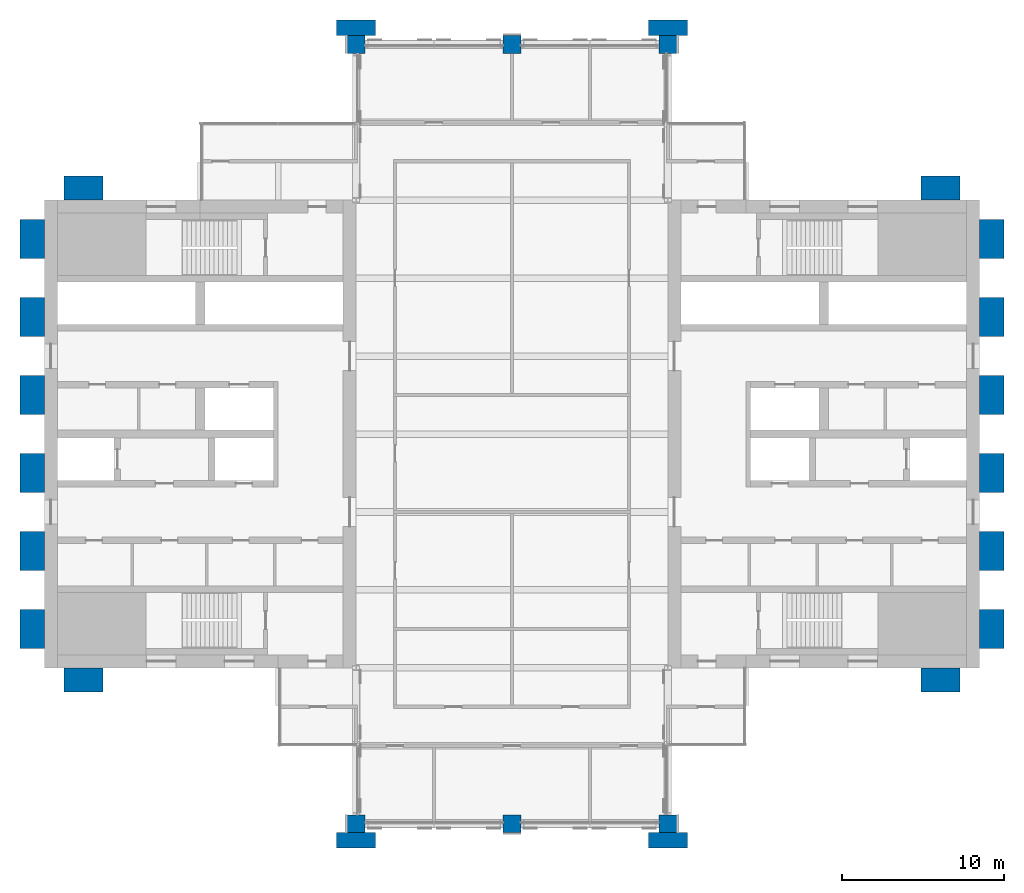
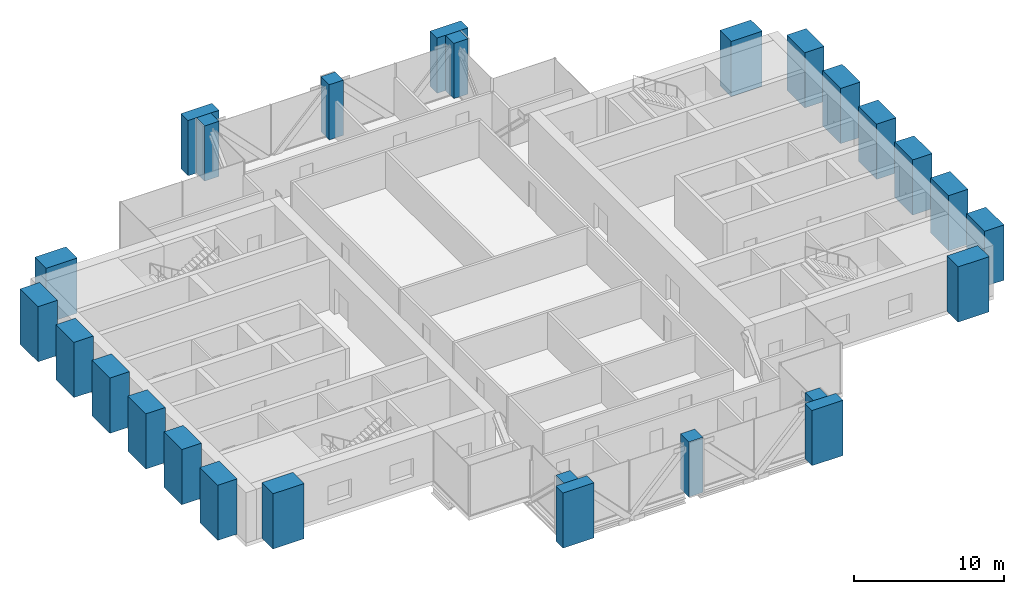
# One storey, part 1 of 13: 26 columns.
"""IFC4 building model written with IfcOpenShell, lengths in metres."""

from ifc_helpers import new_model, si_unit, direction, frame, origin, origin_2d, place, context, subcontext, project, spatial, rectangle, extrude, material, material_profile, profile_set, type_object, element, save


model = new_model("IFC4")

# Units and contexts
model_context = context("Model", 3, precision=1e-05, world=origin(), true_north=direction((0.0, 1.0)))
body_context = subcontext(model_context, "Body", "Model", "MODEL_VIEW")
ifc_project = project(units=[si_unit("LENGTHUNIT", "METRE"), si_unit("AREAUNIT", "SQUARE_METRE"), si_unit("VOLUMEUNIT", "CUBIC_METRE"), si_unit("PLANEANGLEUNIT", "RADIAN"), si_unit("MASSUNIT", "GRAM", prefix="KILO")], contexts=[model_context])

# Site, building, storey
site_placement = place(None, origin())
site = spatial("IfcSite", under=ifc_project, at=site_placement, CompositionType="ELEMENT")
building_placement = place(site_placement, origin())
building = spatial("IfcBuilding", under=site, at=building_placement, Name="Baori Bourse Tower", CompositionType="ELEMENT")
storey_placement = place(building_placement, frame((0.0, 0.0, 265.199951171875)))
storey = spatial("IfcBuildingStorey", under=building, at=storey_placement, Name="L59", CompositionType="ELEMENT", Elevation=265.199951171875)

# Columns
ifc_material_1 = material(Name="Concrete f'c 60 MPa", Category="concrete")
ifc_material_profile_1 = material_profile(ifc_material_1, rectangle(XDim=2.39990234375, YDim=0.949951171875, at=origin_2d()), Name="RC 2400x950")
ifc_profile_set_1 = profile_set([ifc_material_profile_1], Name="Concrete f'c 60 MPa")
column_type_1 = type_object("IfcColumnType", Name="FN3 Brick pilaster 2400x950", PredefinedType="PILASTER", material=ifc_profile_set_1)
for number, where, z_axis, x_axis, name in (
    (1, (19.199951171875, -1.02490234375, 0.0), (0.0, 0.0, 1.0), (1.0, 0.0, 0.0), "Brick pilaster L59 17"),
    (2, (38.39990234375, -1.02490234375, 0.0), (0.0, 0.0, 1.0), (1.0, 0.0, 0.0), "Brick pilaster L59 18"),
    (3, (19.199951171875, 49.02490234375, 0.0), (0.0, 0.0, 1.0), (1.0, 0.0, 0.0), "Brick pilaster L59 19"),
    (4, (38.39990234375, 49.02490234375, 0.0), (0.0, 0.0, 1.0), (1.0, 0.0, 0.0), "Brick pilaster L59 20"),
):
    element("IfcColumn", number, at=place(storey_placement, frame(where, z_axis=z_axis, x_axis=x_axis)), inside=storey, type_object=column_type_1, Name=name, PredefinedType="PILASTER", context=body_context, shape_type="SweptSolid", body=[
        extrude(rectangle(XDim=2.39990234375, YDim=0.949951171875, at=origin_2d()), origin(), (0.0, 0.0, 1.0), 4.5),
    ])
ifc_material_2 = material(Name="Concrete f'c 60 MPa", Category="concrete")
ifc_material_profile_2 = material_profile(ifc_material_2, rectangle(XDim=2.39990234375, YDim=1.5, at=origin_2d()), Name="RC 2400x1500")
ifc_profile_set_2 = profile_set([ifc_material_profile_2], Name="Concrete f'c 60 MPa")
column_type_2 = type_object("IfcColumnType", Name="FN4 Brick flank pilaster 2400x1500", PredefinedType="PILASTER", material=ifc_profile_set_2)
for number, where, z_axis, x_axis, name in (
    (5, (55.199951171875, 8.85009765625, 0.0), (0.0, 0.0, 1.0), (1.0, 0.0, 0.0), "Brick pilaster L59 1"),
    (6, (58.35009765625, 12.0, 0.0), (0.0, 0.0, 1.0), (0.0, 1.0, 0.0), "Brick pilaster L59 2"),
    (7, (58.35009765625, 16.800048828125, 0.0), (0.0, 0.0, 1.0), (0.0, 1.0, 0.0), "Brick pilaster L59 3"),
    (8, (58.35009765625, 21.60009765625, 0.0), (0.0, 0.0, 1.0), (0.0, 1.0, 0.0), "Brick pilaster L59 4"),
    (9, (58.35009765625, 26.39990234375, 0.0), (0.0, 0.0, 1.0), (0.0, 1.0, 0.0), "Brick pilaster L59 5"),
    (10, (58.35009765625, 31.199951171875, 0.0), (0.0, 0.0, 1.0), (0.0, 1.0, 0.0), "Brick pilaster L59 6"),
    (11, (58.35009765625, 36.0, 0.0), (0.0, 0.0, 1.0), (0.0, 1.0, 0.0), "Brick pilaster L59 7"),
    (12, (55.199951171875, 39.14990234375, 0.0), (0.0, 0.0, 1.0), (1.0, 0.0, 0.0), "Brick pilaster L59 8"),
    (13, (2.39990234375, 39.14990234375, 0.0), (0.0, 0.0, 1.0), (1.0, 0.0, 0.0), "Brick pilaster L59 9"),
    (14, (-0.75, 12.0, 0.0), (0.0, 0.0, 1.0), (0.0, 1.0, 0.0), "Brick pilaster L59 10"),
    (15, (-0.75, 16.800048828125, 0.0), (0.0, 0.0, 1.0), (0.0, 1.0, 0.0), "Brick pilaster L59 11"),
    (16, (-0.75, 21.60009765625, 0.0), (0.0, 0.0, 1.0), (0.0, 1.0, 0.0), "Brick pilaster L59 12"),
    (17, (-0.75, 26.39990234375, 0.0), (0.0, 0.0, 1.0), (0.0, 1.0, 0.0), "Brick pilaster L59 13"),
    (18, (-0.75, 31.199951171875, 0.0), (0.0, 0.0, 1.0), (0.0, 1.0, 0.0), "Brick pilaster L59 14"),
    (19, (-0.75, 36.0, 0.0), (0.0, 0.0, 1.0), (0.0, 1.0, 0.0), "Brick pilaster L59 15"),
    (20, (2.39990234375, 8.85009765625, 0.0), (0.0, 0.0, 1.0), (1.0, 0.0, 0.0), "Brick pilaster L59 16"),
):
    element("IfcColumn", number, at=place(storey_placement, frame(where, z_axis=z_axis, x_axis=x_axis)), inside=storey, type_object=column_type_2, Name=name, PredefinedType="PILASTER", context=body_context, shape_type="SweptSolid", body=[
        extrude(rectangle(XDim=2.39990234375, YDim=1.5, at=origin_2d()), origin(), (0.0, 0.0, 1.0), 4.5),
    ])
ifc_material_3 = material(Name="Concrete f'c 50 MPa", Category="concrete")
ifc_material_profile_3 = material_profile(ifc_material_3, rectangle(XDim=1.10009765625, YDim=1.10009765625, at=origin_2d()), Name="RC 1100x1100")
ifc_profile_set_3 = profile_set([ifc_material_profile_3], Name="Concrete f'c 50 MPa")
column_type_3 = type_object("IfcColumnType", Name="Perimeter column 50 RC 1100x1100", PredefinedType="COLUMN", material=ifc_profile_set_3)
for number, where, z_axis, x_axis, name in (
    (21, (19.199951171875, 0.0, 0.0), (0.0, 0.0, 1.0), (1.0, 0.0, 0.0), "Perimeter column L59"),
    (22, (28.800048828125, 0.0, 0.0), (0.0, 0.0, 1.0), (1.0, 0.0, 0.0), "Perimeter column L59"),
    (23, (38.39990234375, 0.0, 0.0), (0.0, 0.0, 1.0), (1.0, 0.0, 0.0), "Perimeter column L59"),
    (24, (19.199951171875, 48.0, 0.0), (0.0, 0.0, 1.0), (1.0, 0.0, 0.0), "Perimeter column L59"),
    (25, (28.800048828125, 48.0, 0.0), (0.0, 0.0, 1.0), (1.0, 0.0, 0.0), "Perimeter column L59"),
    (26, (38.39990234375, 48.0, 0.0), (0.0, 0.0, 1.0), (1.0, 0.0, 0.0), "Perimeter column L59"),
):
    element("IfcColumn", number, at=place(storey_placement, frame(where, z_axis=z_axis, x_axis=x_axis)), inside=storey, type_object=column_type_3, Name=name, PredefinedType="COLUMN", context=body_context, shape_type="SweptSolid", body=[
        extrude(rectangle(XDim=1.10009765625, YDim=1.10009765625, at=origin_2d()), origin(), (0.0, 0.0, 1.0), 4.5),
    ])

save(model, "model.ifc")
